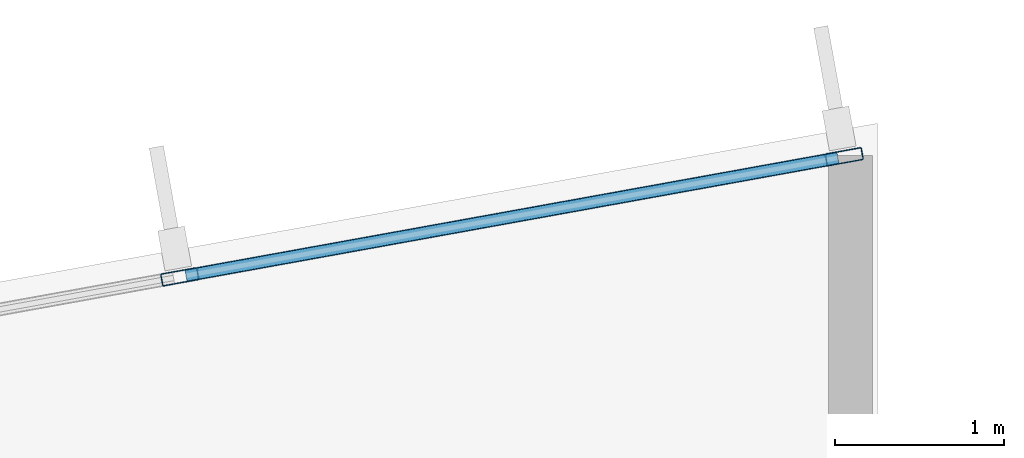
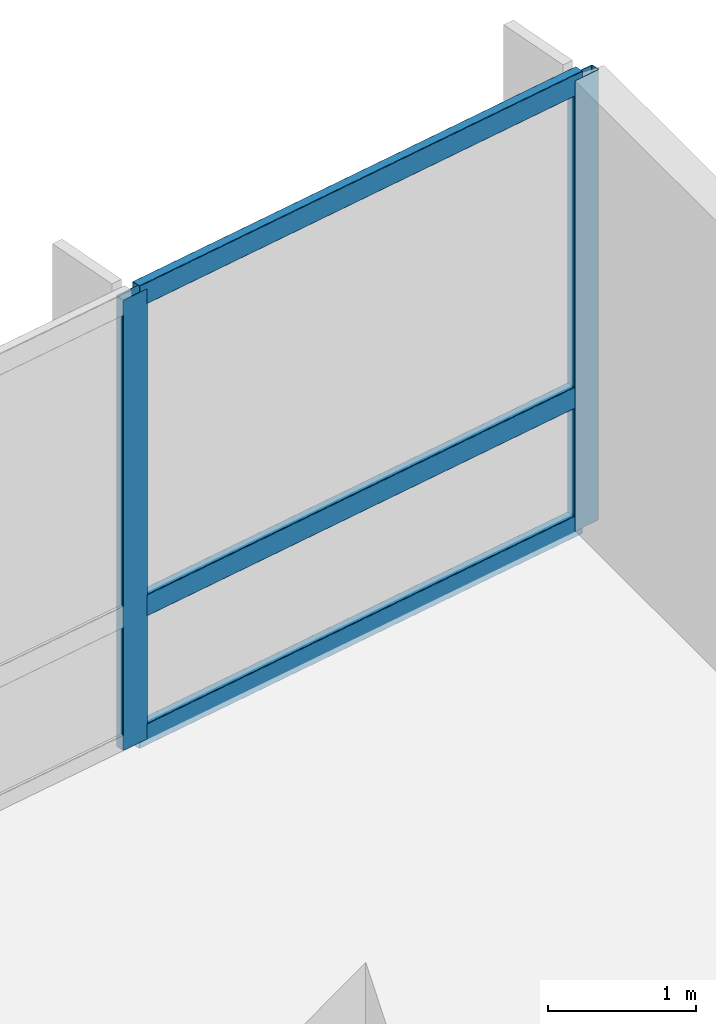
# One storey, part 10 of 20: 5 members, 1 element without a shape of its own.
"""IFC4 building model written with IfcOpenShell, lengths in metres."""

import ifcopenshell
import ifcopenshell.guid

model = None  # the IFC model being written
_history = None  # IfcOwnerHistory: only IFC2X3 demands one
_inside = {}  # id of a spatial element -> (the spatial element, [elements in it])
_under = {}  # id of a project, library or spatial element -> (it, [spatial elements below it])
_declared = {}  # id of a project -> (the project, [libraries it declares])
_typed = {}  # id of a type object -> (the type object, [elements of that type])
_made_of = {}  # id of a material, layer set ... -> (it, [elements and type objects made of it])


def new_model(schema):
    """Start an empty IFC model of exactly this schema.

    Asked for "IFC4X3", IfcOpenShell would pick the latest addendum, in which some entities
    have other attributes; the version numbers below select the first issue.
    IFC2X3 requires an IfcOwnerHistory on every rooted entity: one is made here for all.
    """
    global model, _history
    if schema == "IFC4X3":
        model = ifcopenshell.file(schema_version=(4, 3, 0, 0))
    else:
        model = ifcopenshell.file(schema=schema)
    _inside.clear()
    _under.clear()
    _declared.clear()
    _typed.clear()
    _made_of.clear()
    _history = None
    if model.schema == "IFC2X3":
        org = make("IfcOrganization", Name="unknown")
        user = make(
            "IfcPersonAndOrganization",
            ThePerson=make("IfcPerson", FamilyName="unknown"),
            TheOrganization=org,
        )
        app = make(
            "IfcApplication",
            ApplicationDeveloper=org,
            Version="unknown",
            ApplicationFullName="unknown",
            ApplicationIdentifier="unknown",
        )
        _history = make(
            "IfcOwnerHistory",
            OwningUser=user,
            OwningApplication=app,
            ChangeAction="ADDED",
            CreationDate=0,
        )
    return model


def make(cls, **values):
    """One entity of the class cls with the attributes given. An attribute that is None is left unset."""
    return model.create_entity(
        cls, **{name: value for name, value in values.items() if value is not None}
    )


def rooted(cls, **values):
    """An entity with a GlobalId (a new one), such as an element, a storey or a relation."""
    return make(cls, GlobalId=ifcopenshell.guid.new(), OwnerHistory=_history, **values)


def si_unit(unit_type, name, prefix=None):
    """IfcSIUnit, for example si_unit("LENGTHUNIT", "METRE", prefix="MILLI")."""
    return make("IfcSIUnit", UnitType=unit_type, Prefix=prefix, Name=name)


def assignment(units):
    """IfcUnitAssignment: the units of a project."""
    return None if units is None else make("IfcUnitAssignment", Units=units)


def point(xyz):
    """IfcCartesianPoint."""
    return None if xyz is None else make("IfcCartesianPoint", Coordinates=xyz)


def direction(xyz):
    """IfcDirection."""
    return None if xyz is None else make("IfcDirection", DirectionRatios=xyz)


def frame(location, z_axis=None, x_axis=None):
    """IfcAxis2Placement3D, a coordinate frame: its origin and axes. An axis left out is left unset."""
    return make(
        "IfcAxis2Placement3D",
        Location=point(location),
        Axis=direction(z_axis),
        RefDirection=direction(x_axis),
    )


def frame_2d(location, x_axis=None):
    """IfcAxis2Placement2D, a coordinate frame in the plane: its origin and x axis."""
    return make(
        "IfcAxis2Placement2D", Location=point(location), RefDirection=direction(x_axis)
    )


def origin():
    """The frame at (0, 0, 0) with its axes left unset."""
    return frame((0.0, 0.0, 0.0))


def origin_2d():
    """The frame at (0, 0) in the plane with its x axis left unset."""
    return frame_2d((0.0, 0.0))


def place(relative_to, where):
    """IfcLocalPlacement: puts the frame where relative to a parent placement (None: the world)."""
    return make(
        "IfcLocalPlacement", PlacementRelTo=relative_to, RelativePlacement=where
    )


def context(
    kind, dimensions, precision=None, world=None, true_north=None, identifier=None
):
    """IfcGeometricRepresentationContext, for example the 3D "Model" context."""
    return make(
        "IfcGeometricRepresentationContext",
        ContextIdentifier=identifier,
        ContextType=kind,
        CoordinateSpaceDimension=dimensions,
        Precision=precision,
        WorldCoordinateSystem=world,
        TrueNorth=true_north,
    )


def subcontext(parent, identifier, kind, view, scale=None):
    """IfcGeometricRepresentationSubContext, for example "Body" below "Model"."""
    return make(
        "IfcGeometricRepresentationSubContext",
        ContextIdentifier=identifier,
        ContextType=kind,
        ParentContext=parent,
        TargetScale=scale,
        TargetView=view,
    )


def project(units=None, contexts=None):
    """IfcProject with its units and contexts."""
    return rooted(
        "IfcProject",
        Name="project",
        RepresentationContexts=contexts,
        UnitsInContext=assignment(units),
    )


def spatial(cls, under=None, at=None, **own):
    """A site, building, storey or space (cls), placed at a placement, below another one or the project."""
    s = rooted(cls, ObjectPlacement=at, **own)
    if under is not None:
        _under.setdefault(under.id(), (under, []))[1].append(s)
    return s


def profile(cls, at=None, kind="AREA", **sizes):
    """A parametric profile (cls). Its sizes go by their IFC names, for example OverallWidth=200.0."""
    return make(cls, ProfileType=kind, Position=at, **sizes)


def hollow_rectangle(**sizes):
    """IfcRectangleHollowProfileDef."""
    return profile("IfcRectangleHollowProfileDef", **sizes)


def extrude(swept, where, along, depth):
    """IfcExtrudedAreaSolid: the profile swept, set in the frame where, extruded along a direction by depth."""
    return make(
        "IfcExtrudedAreaSolid",
        SweptArea=swept,
        Position=where,
        ExtrudedDirection=direction(along),
        Depth=depth,
    )


def shape(context_of_items, identifier, shape_type, items):
    """IfcShapeRepresentation: the items that make up one representation, for example the "Body"."""
    return make(
        "IfcShapeRepresentation",
        ContextOfItems=context_of_items,
        RepresentationIdentifier=identifier,
        RepresentationType=shape_type,
        Items=items,
    )


def material(Name=None, Category=None):
    """IfcMaterial."""
    return make("IfcMaterial", Name=Name, Category=Category)


def layer(
    of_material, thickness, ventilated=None, Name=None, Category=None, Priority=None
):
    """IfcMaterialLayer: one layer of a wall or slab, of a material (None: an air gap)."""
    return make(
        "IfcMaterialLayer",
        Material=of_material,
        LayerThickness=thickness,
        IsVentilated=ventilated,
        Name=Name,
        Category=Category,
        Priority=Priority,
    )


def layer_set(layers, Name=None):
    """IfcMaterialLayerSet."""
    return make("IfcMaterialLayerSet", MaterialLayers=layers, LayerSetName=Name)


def material_profile(
    of_material, cross_section, Name=None, Category=None, Priority=None
):
    """IfcMaterialProfile: a cross section and its material."""
    return make(
        "IfcMaterialProfile",
        Name=Name,
        Material=of_material,
        Profile=cross_section,
        Priority=Priority,
        Category=Category,
    )


def profile_set(profiles, Name=None, composite=None):
    """IfcMaterialProfileSet."""
    return make(
        "IfcMaterialProfileSet",
        Name=Name,
        MaterialProfiles=profiles,
        CompositeProfile=composite,
    )


def made_of(thing, what):
    """Note that an element or type object is made of a material, layer set ...; save() writes the relation."""
    if what is not None:
        _made_of.setdefault(what.id(), (what, []))[1].append(thing)
    return thing


def type_object(cls, material=None, **own):
    """A type object (cls), such as IfcWallType, which elements share."""
    return made_of(rooted(cls, **own), material)


def element(
    cls,
    number,
    at=None,
    inside=None,
    cuts=None,
    type_object=None,
    material=None,
    context=None,
    identifier="Body",
    shape_type=None,
    held_by="IfcProductDefinitionShape",
    body=None,
    shapes=None,
    **own,
):
    """One element of the class cls, such as IfcWall. Its Tag is "e" and its number.

    at: its placement. inside: the storey or other place that contains it. cuts: it is an
    opening in that element (IfcRelVoidsElement). A single representation is given by context,
    identifier, shape_type and body (its items); several are given by shapes. held_by: the class
    of the entity that holds the representations. save() writes the other relations.
    """
    e = rooted(cls, Tag="e%d" % number, ObjectPlacement=at, **own)
    if body is not None:
        shapes = [shape(context, identifier, shape_type, body)]
    if shapes is not None:
        e.Representation = make(held_by, Representations=shapes)
    if inside is not None:
        _inside.setdefault(inside.id(), (inside, []))[1].append(e)
    if cuts is not None:
        rooted(
            "IfcRelVoidsElement", RelatingBuildingElement=cuts, RelatedOpeningElement=e
        )
    if type_object is not None:
        _typed.setdefault(type_object.id(), (type_object, []))[1].append(e)
    return made_of(e, material)


def aggregate(whole, parts):
    """IfcRelAggregates: a whole, such as a stair, and the parts it consists of."""
    return rooted("IfcRelAggregates", RelatingObject=whole, RelatedObjects=parts)


def save(model, path):
    """Write the relations noted so far, then the file.

    IfcRelAggregates (storeys below a building ...), IfcRelContainedInSpatialStructure (elements
    in a storey), IfcRelDefinesByType, IfcRelAssociatesMaterial and IfcRelDeclares: one each for
    every whole, place, type object, material and project.
    """
    for whole, parts in _under.values():
        aggregate(whole, parts)
    for where, things in _inside.values():
        rooted(
            "IfcRelContainedInSpatialStructure",
            RelatedElements=things,
            RelatingStructure=where,
        )
    for kind, things in _typed.values():
        rooted("IfcRelDefinesByType", RelatedObjects=things, RelatingType=kind)
    for what, things in _made_of.values():
        rooted("IfcRelAssociatesMaterial", RelatedObjects=things, RelatingMaterial=what)
    for by, libraries in _declared.values():
        rooted("IfcRelDeclares", RelatingContext=by, RelatedDefinitions=libraries)
    model.write(path)


model = new_model("IFC4")

# Units and contexts
model_context = context("Model", 3, precision=1e-05, world=origin(), true_north=direction((0.0, 1.0)))
body_context = subcontext(model_context, "Body", "Model", "MODEL_VIEW")
ifc_project = project(units=[si_unit("LENGTHUNIT", "METRE"), si_unit("AREAUNIT", "SQUARE_METRE"), si_unit("VOLUMEUNIT", "CUBIC_METRE"), si_unit("PLANEANGLEUNIT", "RADIAN"), si_unit("MASSUNIT", "GRAM", prefix="KILO")], contexts=[model_context])

# Site, building, storey
site_placement = place(None, origin())
site = spatial("IfcSite", under=ifc_project, at=site_placement, CompositionType="ELEMENT")
building_placement = place(site_placement, origin())
building = spatial("IfcBuilding", under=site, at=building_placement, Name="Varnakote Quay Hospital", CompositionType="ELEMENT")
storey_placement = place(building_placement, frame((0.0, 0.0, 26.449951171875)))
storey = spatial("IfcBuildingStorey", under=building, at=storey_placement, Name="L06", CompositionType="ELEMENT", Elevation=26.449951171875)

# Curtain wall, members
ifc_material_1 = material(Name="Anodised aluminium 6063-T6 Bronze", Category="aluminium")
ifc_layer = layer(ifc_material_1, 0.18994140625)
ifc_layer_set = layer_set([ifc_layer], Name="Anodised aluminium 6063-T6 Bronze")
curtain_wall_type = type_object("IfcCurtainWallType", Name="CW-SYS-2", PredefinedType="NOTDEFINED", material=ifc_layer_set)
curtain_wall_placement = place(storey_placement, origin())
curtain_wall = element("IfcCurtainWall", 1, at=curtain_wall_placement, inside=storey, type_object=curtain_wall_type, Name="L06 Unitised Bronze Curtain Wall 2", PredefinedType="NOTDEFINED")
ifc_material_2 = material(Name="Anodised aluminium 6063-T6 Bronze", Category="aluminium")
ifc_material_profile_1 = material_profile(ifc_material_2, hollow_rectangle(XDim=0.074951171875, YDim=0.219970703125, WallThickness=0.00439453125, InnerFilletRadius=0.00439453125, OuterFilletRadius=0.009033203125, at=origin_2d()), Name="CW-MULL-220x75")
ifc_profile_set_1 = profile_set([ifc_material_profile_1], Name="Anodised aluminium 6063-T6 Bronze")
member_type_1 = type_object("IfcMemberType", Name="CW-MULL-220x75", PredefinedType="MULLION", material=ifc_profile_set_1)
member_1_placement = place(storey_placement, frame((55.403076171875, 34.201904296875, 0.0), z_axis=(0.0, 0.0, 1.0), x_axis=(0.177846199098, -0.984058295766, 0.0)))
member_1 = element("IfcMember", 2, at=member_1_placement, type_object=member_type_1, Name="-2-L06-2 mullion 1", PredefinedType="MULLION", context=body_context, shape_type="SweptSolid", body=[
    extrude(hollow_rectangle(XDim=0.074951171875, YDim=0.219970703125, WallThickness=0.00439453125, InnerFilletRadius=0.00439453125, OuterFilletRadius=0.009033203125, at=origin_2d()), origin(), (0.0, 0.0, 1.0), 3.7099609375),
])
member_2_placement = place(storey_placement, frame((51.477294921875, 33.492431640625, 0.0), z_axis=(0.0, 0.0, 1.0), x_axis=(0.177846199098, -0.984058295766, 0.0)))
member_2 = element("IfcMember", 3, at=member_2_placement, type_object=member_type_1, Name="-2-L06-2 mullion 2", PredefinedType="MULLION", context=body_context, shape_type="SweptSolid", body=[
    extrude(hollow_rectangle(XDim=0.074951171875, YDim=0.219970703125, WallThickness=0.00439453125, InnerFilletRadius=0.00439453125, OuterFilletRadius=0.009033203125, at=origin_2d()), origin(), (0.0, 0.0, 1.0), 3.7099609375),
])
ifc_material_3 = material(Name="Anodised aluminium 6063-T6 Bronze", Category="aluminium")
ifc_material_profile_2 = material_profile(ifc_material_3, hollow_rectangle(XDim=0.074951171875, YDim=0.179931640625, WallThickness=0.004150390625, InnerFilletRadius=0.004150390625, OuterFilletRadius=0.00830078125, at=origin_2d()), Name="CW-TRAN-180x75")
ifc_profile_set_2 = profile_set([ifc_material_profile_2], Name="Anodised aluminium 6063-T6 Bronze")
member_type_2 = type_object("IfcMemberType", Name="CW-TRAN-180x75", PredefinedType="USERDEFINED", material=ifc_profile_set_2)
member_3_placement = place(storey_placement, frame((55.3662109375, 34.195068359375, 0.03759765625), z_axis=(-0.984061948229, -0.177825988109, 0.0), x_axis=(0.177825988109, -0.984061948229, 0.0)))
member_3 = element("IfcMember", 4, at=member_3_placement, type_object=member_type_2, Name="-2-L06-2 transom 1.1", ObjectType="TRANSOM", PredefinedType="USERDEFINED", context=body_context, shape_type="SweptSolid", body=[
    extrude(hollow_rectangle(XDim=0.074951171875, YDim=0.179931640625, WallThickness=0.004150390625, InnerFilletRadius=0.004150390625, OuterFilletRadius=0.00830078125, at=origin_2d()), origin(), (0.0, 0.0, 1.0), 3.914306640625),
])
member_4_placement = place(storey_placement, frame((55.3662109375, 34.195068359375, 1.10009765625), z_axis=(-0.984061948229, -0.177825988109, 0.0), x_axis=(0.177825988109, -0.984061948229, 0.0)))
member_4 = element("IfcMember", 5, at=member_4_placement, type_object=member_type_2, Name="-2-L06-2 transom 1.2", ObjectType="TRANSOM", PredefinedType="USERDEFINED", context=body_context, shape_type="SweptSolid", body=[
    extrude(hollow_rectangle(XDim=0.074951171875, YDim=0.179931640625, WallThickness=0.004150390625, InnerFilletRadius=0.004150390625, OuterFilletRadius=0.00830078125, at=origin_2d()), origin(), (0.0, 0.0, 1.0), 3.914306640625),
])
member_5_placement = place(storey_placement, frame((55.3662109375, 34.195068359375, 3.672607421875), z_axis=(-0.984061948229, -0.177825988109, 0.0), x_axis=(0.177825988109, -0.984061948229, 0.0)))
member_5 = element("IfcMember", 6, at=member_5_placement, type_object=member_type_2, Name="-2-L06-2 transom 1.3", ObjectType="TRANSOM", PredefinedType="USERDEFINED", context=body_context, shape_type="SweptSolid", body=[
    extrude(hollow_rectangle(XDim=0.074951171875, YDim=0.179931640625, WallThickness=0.004150390625, InnerFilletRadius=0.004150390625, OuterFilletRadius=0.00830078125, at=origin_2d()), origin(), (0.0, 0.0, 1.0), 3.914306640625),
])
aggregate(curtain_wall, [member_1, member_2, member_3, member_4, member_5])

save(model, "model.ifc")
